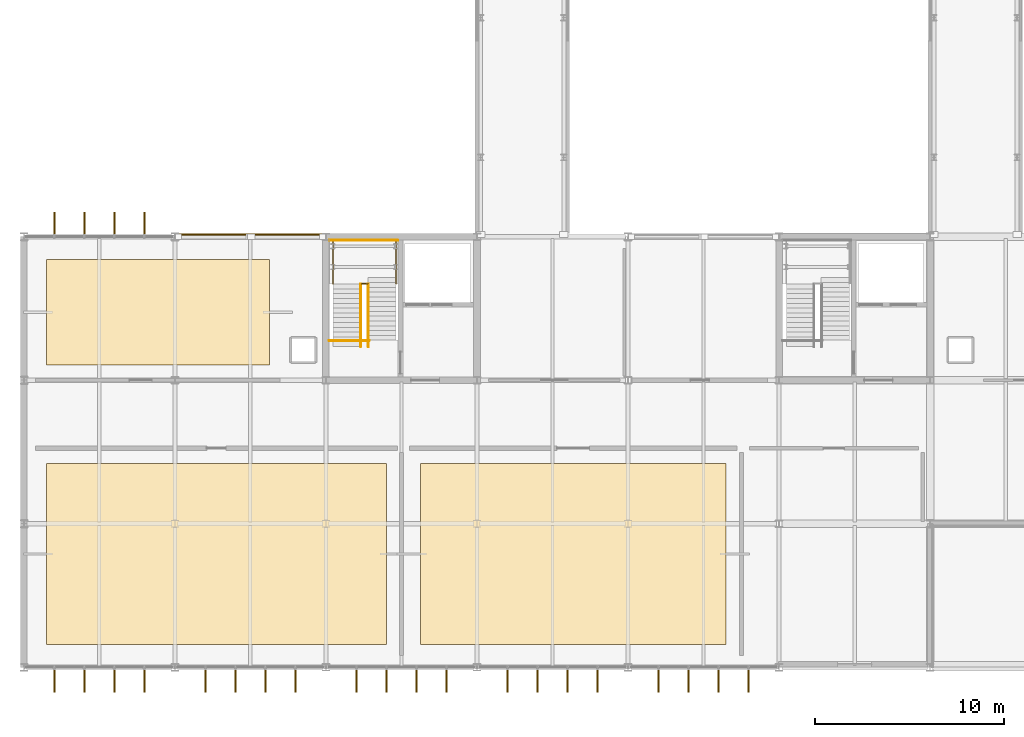
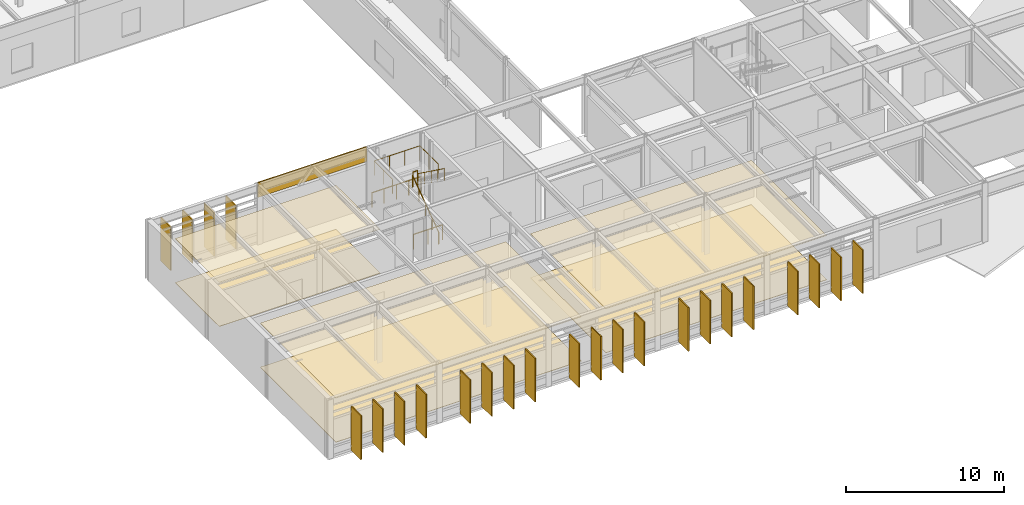
# One storey, part 95 of 104: 24 shading devices, 7 coverings, 6 railings.
"""IFC4 building model written with IfcOpenShell, lengths in metres."""

import ifcopenshell
import ifcopenshell.guid

model = None  # the IFC model being written
_history = None  # IfcOwnerHistory: only IFC2X3 demands one
_inside = {}  # id of a spatial element -> (the spatial element, [elements in it])
_under = {}  # id of a project, library or spatial element -> (it, [spatial elements below it])
_declared = {}  # id of a project -> (the project, [libraries it declares])
_typed = {}  # id of a type object -> (the type object, [elements of that type])
_made_of = {}  # id of a material, layer set ... -> (it, [elements and type objects made of it])


def new_model(schema):
    """Start an empty IFC model of exactly this schema.

    Asked for "IFC4X3", IfcOpenShell would pick the latest addendum, in which some entities
    have other attributes; the version numbers below select the first issue.
    IFC2X3 requires an IfcOwnerHistory on every rooted entity: one is made here for all.
    """
    global model, _history
    if schema == "IFC4X3":
        model = ifcopenshell.file(schema_version=(4, 3, 0, 0))
    else:
        model = ifcopenshell.file(schema=schema)
    _inside.clear()
    _under.clear()
    _declared.clear()
    _typed.clear()
    _made_of.clear()
    _history = None
    if model.schema == "IFC2X3":
        org = make("IfcOrganization", Name="unknown")
        user = make(
            "IfcPersonAndOrganization",
            ThePerson=make("IfcPerson", FamilyName="unknown"),
            TheOrganization=org,
        )
        app = make(
            "IfcApplication",
            ApplicationDeveloper=org,
            Version="unknown",
            ApplicationFullName="unknown",
            ApplicationIdentifier="unknown",
        )
        _history = make(
            "IfcOwnerHistory",
            OwningUser=user,
            OwningApplication=app,
            ChangeAction="ADDED",
            CreationDate=0,
        )
    return model


def make(cls, **values):
    """One entity of the class cls with the attributes given. An attribute that is None is left unset."""
    return model.create_entity(
        cls, **{name: value for name, value in values.items() if value is not None}
    )


def rooted(cls, **values):
    """An entity with a GlobalId (a new one), such as an element, a storey or a relation."""
    return make(cls, GlobalId=ifcopenshell.guid.new(), OwnerHistory=_history, **values)


def si_unit(unit_type, name, prefix=None):
    """IfcSIUnit, for example si_unit("LENGTHUNIT", "METRE", prefix="MILLI")."""
    return make("IfcSIUnit", UnitType=unit_type, Prefix=prefix, Name=name)


def assignment(units):
    """IfcUnitAssignment: the units of a project."""
    return None if units is None else make("IfcUnitAssignment", Units=units)


def point(xyz):
    """IfcCartesianPoint."""
    return None if xyz is None else make("IfcCartesianPoint", Coordinates=xyz)


def direction(xyz):
    """IfcDirection."""
    return None if xyz is None else make("IfcDirection", DirectionRatios=xyz)


def frame(location, z_axis=None, x_axis=None):
    """IfcAxis2Placement3D, a coordinate frame: its origin and axes. An axis left out is left unset."""
    return make(
        "IfcAxis2Placement3D",
        Location=point(location),
        Axis=direction(z_axis),
        RefDirection=direction(x_axis),
    )


def frame_2d(location, x_axis=None):
    """IfcAxis2Placement2D, a coordinate frame in the plane: its origin and x axis."""
    return make(
        "IfcAxis2Placement2D", Location=point(location), RefDirection=direction(x_axis)
    )


def origin():
    """The frame at (0, 0, 0) with its axes left unset."""
    return frame((0.0, 0.0, 0.0))


def origin_2d():
    """The frame at (0, 0) in the plane with its x axis left unset."""
    return frame_2d((0.0, 0.0))


def place(relative_to, where):
    """IfcLocalPlacement: puts the frame where relative to a parent placement (None: the world)."""
    return make(
        "IfcLocalPlacement", PlacementRelTo=relative_to, RelativePlacement=where
    )


def context(
    kind, dimensions, precision=None, world=None, true_north=None, identifier=None
):
    """IfcGeometricRepresentationContext, for example the 3D "Model" context."""
    return make(
        "IfcGeometricRepresentationContext",
        ContextIdentifier=identifier,
        ContextType=kind,
        CoordinateSpaceDimension=dimensions,
        Precision=precision,
        WorldCoordinateSystem=world,
        TrueNorth=true_north,
    )


def subcontext(parent, identifier, kind, view, scale=None):
    """IfcGeometricRepresentationSubContext, for example "Body" below "Model"."""
    return make(
        "IfcGeometricRepresentationSubContext",
        ContextIdentifier=identifier,
        ContextType=kind,
        ParentContext=parent,
        TargetScale=scale,
        TargetView=view,
    )


def project(units=None, contexts=None):
    """IfcProject with its units and contexts."""
    return rooted(
        "IfcProject",
        Name="project",
        RepresentationContexts=contexts,
        UnitsInContext=assignment(units),
    )


def spatial(cls, under=None, at=None, **own):
    """A site, building, storey or space (cls), placed at a placement, below another one or the project."""
    s = rooted(cls, ObjectPlacement=at, **own)
    if under is not None:
        _under.setdefault(under.id(), (under, []))[1].append(s)
    return s


def polyline(points):
    """IfcPolyline through the points."""
    return make("IfcPolyline", Points=[point(p) for p in points])


def profile(cls, at=None, kind="AREA", **sizes):
    """A parametric profile (cls). Its sizes go by their IFC names, for example OverallWidth=200.0."""
    return make(cls, ProfileType=kind, Position=at, **sizes)


def rectangle(**sizes):
    """IfcRectangleProfileDef."""
    return profile("IfcRectangleProfileDef", **sizes)


def circle(**sizes):
    """IfcCircleProfileDef."""
    return profile("IfcCircleProfileDef", **sizes)


def outline(outer, holes=None, kind="AREA"):
    """IfcArbitraryClosedProfileDef: a profile drawn as a closed curve; with holes, ...WithVoids."""
    if holes is None:
        return make("IfcArbitraryClosedProfileDef", ProfileType=kind, OuterCurve=outer)
    return make(
        "IfcArbitraryProfileDefWithVoids",
        ProfileType=kind,
        OuterCurve=outer,
        InnerCurves=holes,
    )


def extrude(swept, where, along, depth):
    """IfcExtrudedAreaSolid: the profile swept, set in the frame where, extruded along a direction by depth."""
    return make(
        "IfcExtrudedAreaSolid",
        SweptArea=swept,
        Position=where,
        ExtrudedDirection=direction(along),
        Depth=depth,
    )


def shape(context_of_items, identifier, shape_type, items):
    """IfcShapeRepresentation: the items that make up one representation, for example the "Body"."""
    return make(
        "IfcShapeRepresentation",
        ContextOfItems=context_of_items,
        RepresentationIdentifier=identifier,
        RepresentationType=shape_type,
        Items=items,
    )


def material(Name=None, Category=None):
    """IfcMaterial."""
    return make("IfcMaterial", Name=Name, Category=Category)


def layer(
    of_material, thickness, ventilated=None, Name=None, Category=None, Priority=None
):
    """IfcMaterialLayer: one layer of a wall or slab, of a material (None: an air gap)."""
    return make(
        "IfcMaterialLayer",
        Material=of_material,
        LayerThickness=thickness,
        IsVentilated=ventilated,
        Name=Name,
        Category=Category,
        Priority=Priority,
    )


def layer_set(layers, Name=None):
    """IfcMaterialLayerSet."""
    return make("IfcMaterialLayerSet", MaterialLayers=layers, LayerSetName=Name)


def made_of(thing, what):
    """Note that an element or type object is made of a material, layer set ...; save() writes the relation."""
    if what is not None:
        _made_of.setdefault(what.id(), (what, []))[1].append(thing)
    return thing


def type_object(cls, material=None, **own):
    """A type object (cls), such as IfcWallType, which elements share."""
    return made_of(rooted(cls, **own), material)


def element(
    cls,
    number,
    at=None,
    inside=None,
    cuts=None,
    type_object=None,
    material=None,
    context=None,
    identifier="Body",
    shape_type=None,
    held_by="IfcProductDefinitionShape",
    body=None,
    shapes=None,
    **own,
):
    """One element of the class cls, such as IfcWall. Its Tag is "e" and its number.

    at: its placement. inside: the storey or other place that contains it. cuts: it is an
    opening in that element (IfcRelVoidsElement). A single representation is given by context,
    identifier, shape_type and body (its items); several are given by shapes. held_by: the class
    of the entity that holds the representations. save() writes the other relations.
    """
    e = rooted(cls, Tag="e%d" % number, ObjectPlacement=at, **own)
    if body is not None:
        shapes = [shape(context, identifier, shape_type, body)]
    if shapes is not None:
        e.Representation = make(held_by, Representations=shapes)
    if inside is not None:
        _inside.setdefault(inside.id(), (inside, []))[1].append(e)
    if cuts is not None:
        rooted(
            "IfcRelVoidsElement", RelatingBuildingElement=cuts, RelatedOpeningElement=e
        )
    if type_object is not None:
        _typed.setdefault(type_object.id(), (type_object, []))[1].append(e)
    return made_of(e, material)


def aggregate(whole, parts):
    """IfcRelAggregates: a whole, such as a stair, and the parts it consists of."""
    return rooted("IfcRelAggregates", RelatingObject=whole, RelatedObjects=parts)


def save(model, path):
    """Write the relations noted so far, then the file.

    IfcRelAggregates (storeys below a building ...), IfcRelContainedInSpatialStructure (elements
    in a storey), IfcRelDefinesByType, IfcRelAssociatesMaterial and IfcRelDeclares: one each for
    every whole, place, type object, material and project.
    """
    for whole, parts in _under.values():
        aggregate(whole, parts)
    for where, things in _inside.values():
        rooted(
            "IfcRelContainedInSpatialStructure",
            RelatedElements=things,
            RelatingStructure=where,
        )
    for kind, things in _typed.values():
        rooted("IfcRelDefinesByType", RelatedObjects=things, RelatingType=kind)
    for what, things in _made_of.values():
        rooted("IfcRelAssociatesMaterial", RelatedObjects=things, RelatingMaterial=what)
    for by, libraries in _declared.values():
        rooted("IfcRelDeclares", RelatingContext=by, RelatedDefinitions=libraries)
    model.write(path)


model = new_model("IFC4")

# Units and contexts
model_context = context("Model", 3, precision=1e-05, world=origin(), true_north=direction((0.0, 1.0)))
body_context = subcontext(model_context, "Body", "Model", "MODEL_VIEW")
ifc_project = project(units=[si_unit("LENGTHUNIT", "METRE"), si_unit("AREAUNIT", "SQUARE_METRE"), si_unit("VOLUMEUNIT", "CUBIC_METRE"), si_unit("PLANEANGLEUNIT", "RADIAN"), si_unit("MASSUNIT", "GRAM", prefix="KILO")], contexts=[model_context])

# Site, building, storey
site_placement = place(None, origin())
site = spatial("IfcSite", under=ifc_project, at=site_placement, CompositionType="ELEMENT")
building_placement = place(site_placement, origin())
building = spatial("IfcBuilding", under=site, at=building_placement, Name="Zulena Civic Courthouse", CompositionType="ELEMENT")
storey_placement = place(building_placement, frame((0.0, 0.0, 10.800048828125)))
storey = spatial("IfcBuildingStorey", under=building, at=storey_placement, Name="L02", CompositionType="ELEMENT", Elevation=10.800048828125)

# Coverings
ifc_material_1 = material(Name="Perforated acoustic mineral-fibre ceiling tile", Category="concrete")
ifc_layer_1 = layer(ifc_material_1, 0.02490234375)
ifc_layer_set_1 = layer_set([ifc_layer_1], Name="Perforated acoustic mineral-fibre ceiling tile")
covering_type_1 = type_object("IfcCoveringType", Name="AcousticCeiling_25", PredefinedType="CEILING", material=ifc_layer_set_1)
covering_1_placement = place(storey_placement, frame((0.0, 0.0, 3.419921875)))
element("IfcCovering", 1, at=covering_1_placement, inside=storey, type_object=covering_type_1, Name="ceil:L02:303", PredefinedType="CEILING", context=body_context, shape_type="SweptSolid", body=[
    extrude(outline(polyline([(5.199951171875, 1.199951171875), (23.199951171875, 1.199951171875), (23.199951171875, 10.800048828125), (5.199951171875, 10.800048828125), (5.199951171875, 1.199951171875)])), origin(), (0.0, 0.0, 1.0), 0.025146484375),
])
covering_2_placement = place(storey_placement, frame((0.0, 0.0, 3.419921875)))
element("IfcCovering", 2, at=covering_2_placement, inside=storey, type_object=covering_type_1, Name="ceil:L02:304", PredefinedType="CEILING", context=body_context, shape_type="SweptSolid", body=[
    extrude(outline(polyline([(25.0, 1.199951171875), (41.199951171875, 1.199951171875), (41.199951171875, 10.800048828125), (25.0, 10.800048828125), (25.0, 1.199951171875)])), origin(), (0.0, 0.0, 1.0), 0.025146484375),
])
covering_3_placement = place(storey_placement, frame((0.0, 0.0, 3.419921875)))
element("IfcCovering", 3, at=covering_3_placement, inside=storey, type_object=covering_type_1, Name="ceil:L02:306", PredefinedType="CEILING", context=body_context, shape_type="SweptSolid", body=[
    extrude(outline(polyline([(5.199951171875, 16.0), (17.0, 16.0), (17.0, 21.60009765625), (5.199951171875, 21.60009765625), (5.199951171875, 16.0)])), origin(), (0.0, 0.0, 1.0), 0.025146484375),
])

# Shading devices
ifc_material_2 = material(Name="Gold anodised architectural aluminium AA6063-T6", Category="aluminium")
shading_device_type = type_object("IfcShadingDeviceType", Name="GoldSolarFin_350", PredefinedType="USERDEFINED", material=ifc_material_2)
for number, where, z_axis, x_axis, name in (
    (4, (5.617919921875, 23.485107421875, 0.0498046875), (0.0, 0.0, 1.0), (0.0, 1.0, 0.0), "fin:V2:L02:1:0:1"),
    (5, (7.2060546875, 23.485107421875, 0.0498046875), (0.0, 0.0, 1.0), (0.0, 1.0, 0.0), "fin:V2:L02:1:0:2"),
    (6, (8.7939453125, 23.485107421875, 0.0498046875), (0.0, 0.0, 1.0), (0.0, 1.0, 0.0), "fin:V2:L02:1:0:3"),
    (7, (10.382080078125, 23.485107421875, 0.0498046875), (0.0, 0.0, 1.0), (0.0, 1.0, 0.0), "fin:V2:L02:1:0:4"),
    (8, (42.382080078125, -0.68505859375, 0.0498046875), (0.0, 0.0, 1.0), (0.0, -1.0, 0.0), "fin:V2:L02:5:1:1"),
    (9, (40.7939453125, -0.68505859375, 0.0498046875), (0.0, 0.0, 1.0), (0.0, -1.0, 0.0), "fin:V2:L02:5:1:2"),
    (10, (39.2060546875, -0.68505859375, 0.0498046875), (0.0, 0.0, 1.0), (0.0, -1.0, 0.0), "fin:V2:L02:5:1:3"),
    (11, (37.617919921875, -0.68505859375, 0.0498046875), (0.0, 0.0, 1.0), (0.0, -1.0, 0.0), "fin:V2:L02:5:1:4"),
    (12, (34.382080078125, -0.68505859375, 0.0498046875), (0.0, 0.0, 1.0), (0.0, -1.0, 0.0), "fin:V2:L02:5:2:1"),
    (13, (32.7939453125, -0.68505859375, 0.0498046875), (0.0, 0.0, 1.0), (0.0, -1.0, 0.0), "fin:V2:L02:5:2:2"),
    (14, (31.2060546875, -0.68505859375, 0.0498046875), (0.0, 0.0, 1.0), (0.0, -1.0, 0.0), "fin:V2:L02:5:2:3"),
    (15, (29.617919921875, -0.68505859375, 0.0498046875), (0.0, 0.0, 1.0), (0.0, -1.0, 0.0), "fin:V2:L02:5:2:4"),
    (16, (26.382080078125, -0.68505859375, 0.0498046875), (0.0, 0.0, 1.0), (0.0, -1.0, 0.0), "fin:V2:L02:5:3:1"),
    (17, (24.7939453125, -0.68505859375, 0.0498046875), (0.0, 0.0, 1.0), (0.0, -1.0, 0.0), "fin:V2:L02:5:3:2"),
    (18, (23.2060546875, -0.68505859375, 0.0498046875), (0.0, 0.0, 1.0), (0.0, -1.0, 0.0), "fin:V2:L02:5:3:3"),
    (19, (21.617919921875, -0.68505859375, 0.0498046875), (0.0, 0.0, 1.0), (0.0, -1.0, 0.0), "fin:V2:L02:5:3:4"),
    (20, (18.382080078125, -0.68505859375, 0.0498046875), (0.0, 0.0, 1.0), (0.0, -1.0, 0.0), "fin:V2:L02:5:4:1"),
    (21, (16.7939453125, -0.68505859375, 0.0498046875), (0.0, 0.0, 1.0), (0.0, -1.0, 0.0), "fin:V2:L02:5:4:2"),
    (22, (15.2060546875, -0.68505859375, 0.0498046875), (0.0, 0.0, 1.0), (0.0, -1.0, 0.0), "fin:V2:L02:5:4:3"),
    (23, (13.617919921875, -0.68505859375, 0.0498046875), (0.0, 0.0, 1.0), (0.0, -1.0, 0.0), "fin:V2:L02:5:4:4"),
    (24, (10.382080078125, -0.68505859375, 0.0498046875), (0.0, 0.0, 1.0), (0.0, -1.0, 0.0), "fin:V2:L02:5:5:1"),
    (25, (8.7939453125, -0.68505859375, 0.0498046875), (0.0, 0.0, 1.0), (0.0, -1.0, 0.0), "fin:V2:L02:5:5:2"),
    (26, (7.2060546875, -0.68505859375, 0.0498046875), (0.0, 0.0, 1.0), (0.0, -1.0, 0.0), "fin:V2:L02:5:5:3"),
    (27, (5.617919921875, -0.68505859375, 0.0498046875), (0.0, 0.0, 1.0), (0.0, -1.0, 0.0), "fin:V2:L02:5:5:4"),
):
    element("IfcShadingDevice", number, at=place(storey_placement, frame(where, z_axis=z_axis, x_axis=x_axis)), inside=storey, type_object=shading_device_type, Name=name, ObjectType="FIN", PredefinedType="USERDEFINED", context=body_context, shape_type="SweptSolid", body=[
        extrude(rectangle(XDim=1.25, YDim=0.080078125, at=origin_2d()), origin(), (0.0, 0.0, 1.0), 3.389892578125),
    ])

# Railings
ifc_material_3 = material(Name="Brushed architectural steel ASTM A36", Category="steel")
railing_type_1 = type_object("IfcRailingType", Name="InteriorGuardrail_1150", PredefinedType="GUARDRAIL", material=ifc_material_3)
railing_1_placement = place(storey_placement, frame((20.199951171875, 22.610107421875, 0.0)))
element("IfcRailing", 28, at=railing_1_placement, inside=storey, type_object=railing_type_1, Name="gr:wellN:K2A:L01", PredefinedType="GUARDRAIL", context=body_context, shape_type="SweptSolid", body=[
    extrude(circle(Radius=0.02392578125, at=origin_2d()), frame((0.00390625, 0.0, 1.1259765625), z_axis=(1.0, 0.0, 0.0), x_axis=(0.0, 1.0, 0.0)), (0.0, 0.0, 1.0), 3.592041015625),
    extrude(circle(Radius=0.02099609375, at=origin_2d()), origin(), (0.0, 0.0, 1.0), 1.097900390625),
    extrude(circle(Radius=0.02099609375, at=origin_2d()), frame((0.89990234375, 0.0, 0.0)), (0.0, 0.0, 1.0), 1.097900390625),
    extrude(circle(Radius=0.02099609375, at=origin_2d()), frame((1.800048828125, 0.0, 0.0)), (0.0, 0.0, 1.0), 1.097900390625),
    extrude(circle(Radius=0.02099609375, at=origin_2d()), frame((2.7001953125, 0.0, 0.0)), (0.0, 0.0, 1.0), 1.097900390625),
    extrude(circle(Radius=0.02099609375, at=origin_2d()), frame((3.60009765625, 0.0, 0.0)), (0.0, 0.0, 1.0), 1.097900390625),
])
railing_2_placement = place(storey_placement, frame((20.179931640625, 17.300048828125, 0.0)))
element("IfcRailing", 29, at=railing_2_placement, inside=storey, type_object=railing_type_1, Name="gr:wells:K2A:L02", PredefinedType="GUARDRAIL", context=body_context, shape_type="SweptSolid", body=[
    extrude(circle(Radius=0.02392578125, at=origin_2d()), frame((0.00390625, 0.0, 1.1259765625), z_axis=(1.0, 0.0, 0.0), x_axis=(0.0, 1.0, 0.0)), (0.0, 0.0, 1.0), 2.112060546875),
    extrude(circle(Radius=0.02099609375, at=origin_2d()), origin(), (0.0, 0.0, 1.0), 1.097900390625),
    extrude(circle(Radius=0.02099609375, at=origin_2d()), frame((1.06005859375, 0.0, 0.0)), (0.0, 0.0, 1.0), 1.097900390625),
    extrude(circle(Radius=0.02099609375, at=origin_2d()), frame((2.1201171875, 0.0, 0.0)), (0.0, 0.0, 1.0), 1.097900390625),
])
railing_3_placement = place(storey_placement, frame((20.3798828125, 20.294677734375, 2.39990234375)))
element("IfcRailing", 30, at=railing_3_placement, inside=storey, type_object=railing_type_1, Name="gr:lnd:K2A:L02", PredefinedType="GUARDRAIL", context=body_context, shape_type="SweptSolid", body=[
    extrude(circle(Radius=0.02392578125, at=origin_2d()), frame((0.0, 0.00390625, 1.1259765625), z_axis=(0.0, 1.0, 0.0), x_axis=(-1.0, 0.0, 0.0)), (0.0, 0.0, 1.0), 2.3173828125),
    extrude(circle(Radius=0.02392578125, at=origin_2d()), frame((0.00390625, 2.325439453125, 1.1259765625), z_axis=(1.0, 0.0, 0.0), x_axis=(0.0, 1.0, 0.0)), (0.0, 0.0, 1.0), 3.33203125),
    extrude(circle(Radius=0.02392578125, at=origin_2d()), frame((3.340087890625, 2.321533203125, 1.1259765625), z_axis=(0.0, -1.0, 0.0), x_axis=(1.0, 0.0, 0.0)), (0.0, 0.0, 1.0), 2.3173828125),
    extrude(circle(Radius=0.02099609375, at=origin_2d()), origin(), (0.0, 0.0, 1.0), 1.097900390625),
    extrude(circle(Radius=0.02099609375, at=origin_2d()), frame((0.0, 1.16259765625, 0.0)), (0.0, 0.0, 1.0), 1.097900390625),
    extrude(circle(Radius=0.02099609375, at=origin_2d()), frame((0.0, 2.325439453125, 0.0)), (0.0, 0.0, 1.0), 1.097900390625),
    extrude(circle(Radius=0.02099609375, at=origin_2d()), frame((1.11328125, 2.325439453125, 0.0)), (0.0, 0.0, 1.0), 1.097900390625),
    extrude(circle(Radius=0.02099609375, at=origin_2d()), frame((2.226806640625, 2.325439453125, 0.0)), (0.0, 0.0, 1.0), 1.097900390625),
    extrude(circle(Radius=0.02099609375, at=origin_2d()), frame((3.340087890625, 2.325439453125, 0.0)), (0.0, 0.0, 1.0), 1.097900390625),
    extrude(circle(Radius=0.02099609375, at=origin_2d()), frame((3.340087890625, 1.16259765625, 0.0)), (0.0, 0.0, 1.0), 1.097900390625),
    extrude(circle(Radius=0.02099609375, at=origin_2d()), frame((3.340087890625, 0.0, 0.0)), (0.0, 0.0, 1.0), 1.097900390625),
])
railing_4_placement = place(storey_placement, frame((21.8798828125, 20.31494140625, 2.39990234375)))
element("IfcRailing", 31, at=railing_4_placement, inside=storey, type_object=railing_type_1, Name="gr:lndslot:K2A:L02", PredefinedType="GUARDRAIL", context=body_context, shape_type="SweptSolid", body=[
    extrude(circle(Radius=0.02392578125, at=origin_2d()), frame((0.00390625, 0.0, 1.1259765625), z_axis=(1.0, 0.0, 0.0), x_axis=(0.0, 1.0, 0.0)), (0.0, 0.0, 1.0), 0.33203125),
    extrude(circle(Radius=0.02099609375, at=origin_2d()), origin(), (0.0, 0.0, 1.0), 1.097900390625),
    extrude(circle(Radius=0.02099609375, at=origin_2d()), frame((0.340087890625, 0.0, 0.0)), (0.0, 0.0, 1.0), 1.097900390625),
])

# Covering
ifc_material_4 = material(Name="White architectural precast concrete C40/50", Category="concrete")
ifc_layer_2 = layer(ifc_material_4, 0.0849609375)
ifc_layer_set_2 = layer_set([ifc_layer_2], Name="White architectural precast concrete C40/50")
covering_type_2 = type_object("IfcCoveringType", Name="PrecastSpandrelCladding_85", PredefinedType="CLADDING", material=ifc_layer_set_2)
covering_4_placement = place(storey_placement, frame((16.0, 22.919921875, 3.4599609375), z_axis=(0.0, 0.0, 1.0), x_axis=(1.0, 0.0, 0.0)))
element("IfcCovering", 32, at=covering_4_placement, inside=storey, type_object=covering_type_2, Name="clad:sp:V2:L02:1:1", PredefinedType="CLADDING", context=body_context, shape_type="SweptSolid", body=[
    extrude(rectangle(XDim=7.9599609375, YDim=0.0849609375, at=origin_2d()), origin(), (0.0, 0.0, 1.0), 1.139892578125),
])

# Railings
railing_type_2 = type_object("IfcRailingType", Name="StairHandrail_920", PredefinedType="HANDRAIL", material=ifc_material_3)
railing_5_placement = place(storey_placement, frame((21.85009765625, 16.97998046875, 0.0)))
element("IfcRailing", 33, at=railing_5_placement, inside=storey, type_object=railing_type_2, Name="hr:K2A:L02:1", PredefinedType="HANDRAIL", context=body_context, shape_type="SweptSolid", body=[
    extrude(circle(Radius=0.02392578125, at=origin_2d()), frame((0.0, 0.003173828125, 0.898193359375), z_axis=(0.0, 0.80998804985, 0.586446382119), x_axis=(-1.0, 0.0, 0.0)), (0.0, 0.0, 1.0), 4.084228515625),
    extrude(circle(Radius=0.02099609375, at=origin_2d()), origin(), (0.0, 0.0, 1.0), 0.867919921875),
    extrude(circle(Radius=0.02099609375, at=origin_2d()), frame((0.0, 0.82861328125, 0.60009765625)), (0.0, 0.0, 1.0), 0.867919921875),
    extrude(circle(Radius=0.02099609375, at=origin_2d()), frame((0.0, 1.6572265625, 1.199951171875)), (0.0, 0.0, 1.0), 0.867919921875),
    extrude(circle(Radius=0.02099609375, at=origin_2d()), frame((0.0, 2.486083984375, 1.7998046875)), (0.0, 0.0, 1.0), 0.867919921875),
    extrude(circle(Radius=0.02099609375, at=origin_2d()), frame((0.0, 3.314697265625, 2.39990234375)), (0.0, 0.0, 1.0), 0.867919921875),
])
railing_6_placement = place(storey_placement, frame((22.25, 20.294677734375, 2.39990234375)))
element("IfcRailing", 34, at=railing_6_placement, inside=storey, type_object=railing_type_2, Name="hr:K2A:L02:2", PredefinedType="HANDRAIL", context=body_context, shape_type="SweptSolid", body=[
    extrude(circle(Radius=0.02392578125, at=origin_2d()), frame((0.0, -0.003173828125, 0.898193359375), z_axis=(0.0, -0.809959711079, 0.586485521074), x_axis=(1.0, 0.0, 0.0)), (0.0, 0.0, 1.0), 4.08447265625),
    extrude(circle(Radius=0.02099609375, at=origin_2d()), origin(), (0.0, 0.0, 1.0), 0.867919921875),
    extrude(circle(Radius=0.02099609375, at=origin_2d()), frame((0.0, -0.82861328125, 0.60009765625)), (0.0, 0.0, 1.0), 0.867919921875),
    extrude(circle(Radius=0.02099609375, at=origin_2d()), frame((0.0, -1.6572265625, 1.2001953125)), (0.0, 0.0, 1.0), 0.867919921875),
    extrude(circle(Radius=0.02099609375, at=origin_2d()), frame((0.0, -2.486083984375, 1.800048828125)), (0.0, 0.0, 1.0), 0.867919921875),
    extrude(circle(Radius=0.02099609375, at=origin_2d()), frame((0.0, -3.314697265625, 2.400146484375)), (0.0, 0.0, 1.0), 0.867919921875),
])

# Coverings
ifc_material_5 = material(Name="Honed travertine stone flooring", Category="masonry")
ifc_layer_3 = layer(ifc_material_5, 0.030029296875)
ifc_layer_set_3 = layer_set([ifc_layer_3], Name="Honed travertine stone flooring")
covering_type_3 = type_object("IfcCoveringType", Name="TravertineFlooring_30", PredefinedType="FLOORING", material=ifc_layer_set_3)
covering_5_placement = place(storey_placement, origin())
element("IfcCovering", 35, at=covering_5_placement, inside=storey, type_object=covering_type_3, Name="floor:L02:303", PredefinedType="FLOORING", context=body_context, shape_type="SweptSolid", body=[
    extrude(outline(polyline([(5.199951171875, 1.199951171875), (23.199951171875, 1.199951171875), (23.199951171875, 10.800048828125), (5.199951171875, 10.800048828125), (5.199951171875, 1.199951171875)])), origin(), (0.0, 0.0, 1.0), 0.030029296875),
])
covering_6_placement = place(storey_placement, origin())
element("IfcCovering", 36, at=covering_6_placement, inside=storey, type_object=covering_type_3, Name="floor:L02:304", PredefinedType="FLOORING", context=body_context, shape_type="SweptSolid", body=[
    extrude(outline(polyline([(25.0, 1.199951171875), (41.199951171875, 1.199951171875), (41.199951171875, 10.800048828125), (25.0, 10.800048828125), (25.0, 1.199951171875)])), origin(), (0.0, 0.0, 1.0), 0.030029296875),
])
covering_7_placement = place(storey_placement, origin())
element("IfcCovering", 37, at=covering_7_placement, inside=storey, type_object=covering_type_3, Name="floor:L02:306", PredefinedType="FLOORING", context=body_context, shape_type="SweptSolid", body=[
    extrude(outline(polyline([(5.199951171875, 16.0), (17.0, 16.0), (17.0, 21.60009765625), (5.199951171875, 21.60009765625), (5.199951171875, 16.0)])), origin(), (0.0, 0.0, 1.0), 0.030029296875),
])

save(model, "model.ifc")
